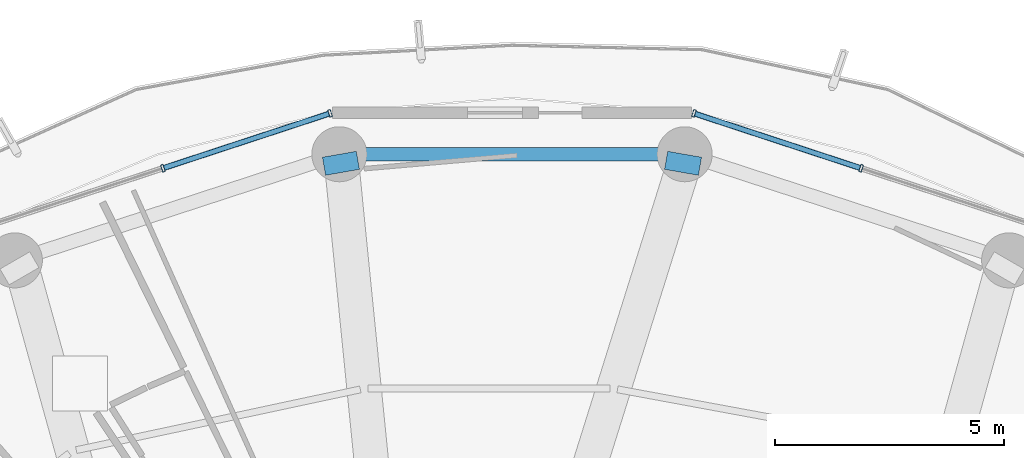
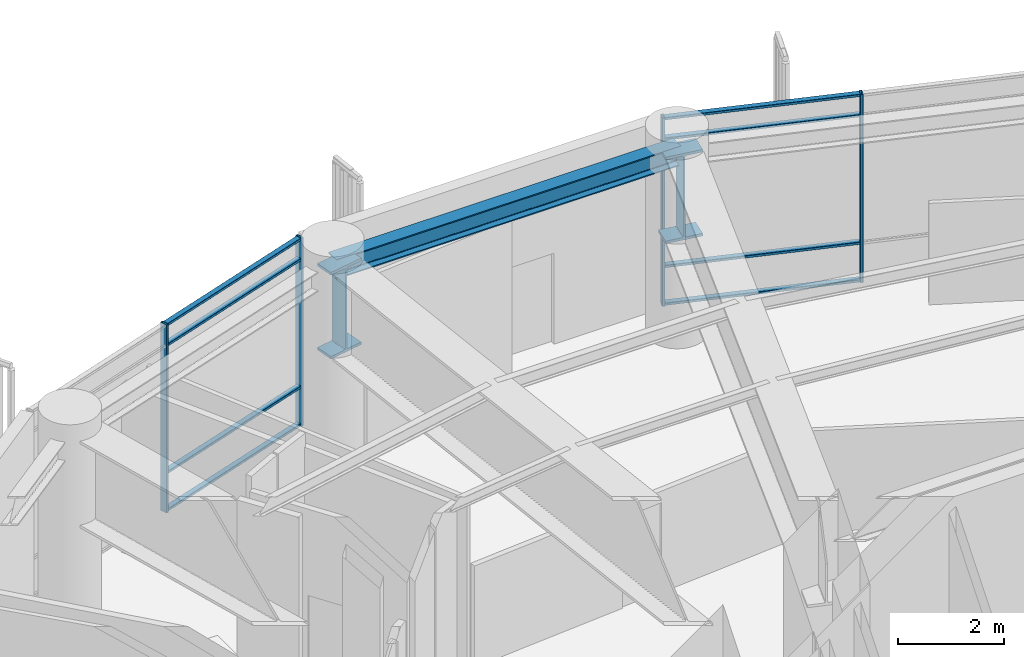
# One storey, part 18 of 28: 12 members, 3 beams, 2 elements without a shape of their own.
"""IFC4 building model written with IfcOpenShell, lengths in metres."""

from ifc_helpers import new_model, si_unit, direction, frame, origin, origin_2d, place, context, subcontext, project, spatial, hollow_rectangle, i_section, extrude, material, layer, layer_set, material_profile, profile_set, type_object, element, aggregate, save


model = new_model("IFC4")

# Units and contexts
model_context = context("Model", 3, precision=1e-05, world=origin(), true_north=direction((0.0, 1.0)))
body_context = subcontext(model_context, "Body", "Model", "MODEL_VIEW")
ifc_project = project(units=[si_unit("LENGTHUNIT", "METRE"), si_unit("AREAUNIT", "SQUARE_METRE"), si_unit("VOLUMEUNIT", "CUBIC_METRE"), si_unit("PLANEANGLEUNIT", "RADIAN"), si_unit("MASSUNIT", "GRAM", prefix="KILO")], contexts=[model_context])

# Site, building, storey
site_placement = place(None, origin())
site = spatial("IfcSite", under=ifc_project, at=site_placement, CompositionType="ELEMENT")
building_placement = place(site_placement, origin())
building = spatial("IfcBuilding", under=site, at=building_placement, Name="Kelanora Arch Commons", CompositionType="ELEMENT")
storey_placement = place(building_placement, frame((0.0, 0.0, 184.35009765625)))
storey = spatial("IfcBuildingStorey", under=building, at=storey_placement, Name="L47", CompositionType="ELEMENT", Elevation=184.35009765625)

# Beams
ifc_material_1 = material(Name="Steel S355", Category="steel")
ifc_material_profile_1 = material_profile(ifc_material_1, i_section(OverallWidth=0.300048828125, OverallDepth=0.449951171875, WebThickness=0.013916015625, FlangeThickness=0.02587890625, FilletRadius=0.027099609375, at=origin_2d()), Name="HEB450")
ifc_profile_set_1 = profile_set([ifc_material_profile_1], Name="Steel S355")
beam_type_1 = type_object("IfcBeamType", Name="BM-SPN-Z3", PredefinedType="SPANDREL", material=ifc_profile_set_1)
beam_placement = place(storey_placement, frame((77.7646484375, 77.18408203125, 4.135009765625), z_axis=(-1.0, 0.0, 0.0), x_axis=(0.0, -1.0, 0.0)))
element("IfcBeam", 1, at=beam_placement, inside=storey, type_object=beam_type_1, Name="Perimeter Spandrel Beam BS-08 L47", PredefinedType="SPANDREL", context=body_context, shape_type="SweptSolid", body=[
    extrude(i_section(OverallWidth=0.300048828125, OverallDepth=0.449951171875, WebThickness=0.013916015625, FlangeThickness=0.02587890625, FilletRadius=0.027099609375, at=origin_2d()), origin(), (0.0, 0.0, 1.0), 7.529296875),
])
ifc_material_profile_2 = material_profile(ifc_material_1, i_section(OverallWidth=0.75, OverallDepth=2.0, WebThickness=0.034912109375, FlangeThickness=0.06005859375, FilletRadius=0.028076171875, at=origin_2d()), Name="PG2000x750")
ifc_profile_set_2 = profile_set([ifc_material_profile_2], Name="Steel S355")
beam_type_2 = type_object("IfcBeamType", Name="BM-XFER-SET", PredefinedType="USERDEFINED", material=ifc_profile_set_2)
for number, where, z_axis, x_axis, name in (
    (2, (77.6953125, 76.7900390625, 3.35986328125), (0.173297968404, 0.984869440153, 0.0), (-0.984869440153, 0.173297968404, 0.0), "Radial Floor Girder BR-08 L47"),
    (3, (70.3046875, 76.7900390625, 3.35986328125), (-0.173297968404, 0.984869440153, 0.0), (-0.984869440153, -0.173297968404, 0.0), "Radial Floor Girder BR-10 L47"),
):
    element("IfcBeam", number, at=place(storey_placement, frame(where, z_axis=z_axis, x_axis=x_axis)), inside=storey, type_object=beam_type_2, Name=name, ObjectType="TRANSFER_GIRDER", PredefinedType="USERDEFINED", context=body_context, shape_type="SweptSolid", body=[
        extrude(i_section(OverallWidth=0.75, OverallDepth=2.0, WebThickness=0.034912109375, FlangeThickness=0.06005859375, FilletRadius=0.028076171875, at=origin_2d()), origin(), (0.0, 0.0, 1.0), 0.400146484375),
    ])

# Curtain wall, members
ifc_material_2 = material(Name="Terracotta ceramic-fritted low-E glass and aluminium", Category="masonry")
ifc_layer = layer(ifc_material_2, 0.175048828125)
ifc_layer_set = layer_set([ifc_layer], Name="Terracotta ceramic-fritted low-E glass and aluminium")
curtain_wall_type = type_object("IfcCurtainWallType", Name="CW-SYS-02", PredefinedType="NOTDEFINED", material=ifc_layer_set)
curtain_wall_1_placement = place(storey_placement, origin())
curtain_wall_1 = element("IfcCurtainWall", 4, at=curtain_wall_1_placement, inside=storey, type_object=curtain_wall_type, Name="Unitised Curtain Wall L47-B03", PredefinedType="NOTDEFINED")
ifc_material_3 = material(Name="Powder-coated aluminium terracotta", Category="masonry")
ifc_material_profile_3 = material_profile(ifc_material_3, hollow_rectangle(XDim=0.159912109375, YDim=0.06005859375, WallThickness=0.0048828125, InnerFilletRadius=0.0048828125, OuterFilletRadius=0.010009765625, at=origin_2d()), Name="CWM160x60")
ifc_profile_set_3 = profile_set([ifc_material_profile_3], Name="Powder-coated aluminium terracotta")
member_type_1 = type_object("IfcMemberType", Name="CWM-STD", PredefinedType="MULLION", material=ifc_profile_set_3)
member_1_placement = place(storey_placement, frame((81.6123046875, 76.87841796875, 0.0), z_axis=(0.0, 0.0, 1.0), x_axis=(-0.312128279571, -0.95003996605, 0.0)))
member_1 = element("IfcMember", 5, at=member_1_placement, type_object=member_type_1, Name="CW-02 mullion 2", PredefinedType="MULLION", context=body_context, shape_type="SweptSolid", body=[
    extrude(hollow_rectangle(XDim=0.159912109375, YDim=0.06005859375, WallThickness=0.0048828125, InnerFilletRadius=0.0048828125, OuterFilletRadius=0.010009765625, at=origin_2d()), origin(), (0.0, 0.0, 1.0), 4.344970703125),
])
member_2_placement = place(storey_placement, frame((77.96728515625, 78.075927734375, 0.0), z_axis=(0.0, 0.0, 1.0), x_axis=(-0.312128279571, -0.95003996605, 0.0)))
member_2 = element("IfcMember", 6, at=member_2_placement, type_object=member_type_1, Name="CW-02 mullion 3", PredefinedType="MULLION", context=body_context, shape_type="SweptSolid", body=[
    extrude(hollow_rectangle(XDim=0.159912109375, YDim=0.06005859375, WallThickness=0.0048828125, InnerFilletRadius=0.0048828125, OuterFilletRadius=0.010009765625, at=origin_2d()), origin(), (0.0, 0.0, 1.0), 4.344970703125),
])

curtain_wall_2_placement = place(storey_placement, origin())
curtain_wall_2 = element("IfcCurtainWall", 7, at=curtain_wall_2_placement, inside=storey, type_object=curtain_wall_type, Name="Unitised Curtain Wall L47-B05", PredefinedType="NOTDEFINED")
member_3_placement = place(storey_placement, frame((70.03271484375, 78.075927734375, 0.0), z_axis=(0.0, 0.0, 1.0), x_axis=(0.312128279571, -0.95003996605, 0.0)))
member_3 = element("IfcMember", 8, at=member_3_placement, type_object=member_type_1, Name="CW-02 mullion 1", PredefinedType="MULLION", context=body_context, shape_type="SweptSolid", body=[
    extrude(hollow_rectangle(XDim=0.159912109375, YDim=0.06005859375, WallThickness=0.0048828125, InnerFilletRadius=0.0048828125, OuterFilletRadius=0.010009765625, at=origin_2d()), origin(), (0.0, 0.0, 1.0), 4.344970703125),
])
member_4_placement = place(storey_placement, frame((66.3876953125, 76.87841796875, 0.0), z_axis=(0.0, 0.0, 1.0), x_axis=(0.312128279571, -0.95003996605, 0.0)))
member_4 = element("IfcMember", 9, at=member_4_placement, type_object=member_type_1, Name="CW-02 mullion 2", PredefinedType="MULLION", context=body_context, shape_type="SweptSolid", body=[
    extrude(hollow_rectangle(XDim=0.159912109375, YDim=0.06005859375, WallThickness=0.0048828125, InnerFilletRadius=0.0048828125, OuterFilletRadius=0.010009765625, at=origin_2d()), origin(), (0.0, 0.0, 1.0), 4.344970703125),
])

# Member
ifc_material_profile_4 = material_profile(ifc_material_3, hollow_rectangle(XDim=0.1201171875, YDim=0.06005859375, WallThickness=0.0048828125, InnerFilletRadius=0.0048828125, OuterFilletRadius=0.010009765625, at=origin_2d()), Name="CWT120x60")
ifc_profile_set_4 = profile_set([ifc_material_profile_4], Name="Powder-coated aluminium terracotta")
member_type_2 = type_object("IfcMemberType", Name="CWT-STD", PredefinedType="USERDEFINED", material=ifc_profile_set_4)
member_5_placement = place(storey_placement, frame((81.583740234375, 76.887939453125, 0.02978515625), z_axis=(-0.950051191155, 0.312094111104, 0.0), x_axis=(-0.312094111104, -0.950051191155, 0.0)))
member_5 = element("IfcMember", 10, at=member_5_placement, type_object=member_type_2, Name="CW-02 transom 2.1", ObjectType="TRANSOM", PredefinedType="USERDEFINED", context=body_context, shape_type="SweptSolid", body=[
    extrude(hollow_rectangle(XDim=0.1201171875, YDim=0.06005859375, WallThickness=0.0048828125, InnerFilletRadius=0.0048828125, OuterFilletRadius=0.010009765625, at=origin_2d()), origin(), (0.0, 0.0, 1.0), 3.77685546875),
])

member_6_placement = place(storey_placement, frame((81.583740234375, 76.887939453125, 0.89990234375), z_axis=(-0.950051191155, 0.312094111104, 0.0), x_axis=(-0.312094111104, -0.950051191155, 0.0)))
member_6 = element("IfcMember", 11, at=member_6_placement, type_object=member_type_2, Name="CW-02 transom 2.2", ObjectType="TRANSOM", PredefinedType="USERDEFINED", context=body_context, shape_type="SweptSolid", body=[
    extrude(hollow_rectangle(XDim=0.1201171875, YDim=0.06005859375, WallThickness=0.0048828125, InnerFilletRadius=0.0048828125, OuterFilletRadius=0.010009765625, at=origin_2d()), origin(), (0.0, 0.0, 1.0), 3.77685546875),
])

member_7_placement = place(storey_placement, frame((81.583740234375, 76.887939453125, 3.844970703125), z_axis=(-0.950051191155, 0.312094111104, 0.0), x_axis=(-0.312094111104, -0.950051191155, 0.0)))
member_7 = element("IfcMember", 12, at=member_7_placement, type_object=member_type_2, Name="CW-02 transom 2.3", ObjectType="TRANSOM", PredefinedType="USERDEFINED", context=body_context, shape_type="SweptSolid", body=[
    extrude(hollow_rectangle(XDim=0.1201171875, YDim=0.06005859375, WallThickness=0.0048828125, InnerFilletRadius=0.0048828125, OuterFilletRadius=0.010009765625, at=origin_2d()), origin(), (0.0, 0.0, 1.0), 3.77685546875),
])

member_8_placement = place(storey_placement, frame((81.583740234375, 76.887939453125, 4.31494140625), z_axis=(-0.950051191155, 0.312094111104, 0.0), x_axis=(-0.312094111104, -0.950051191155, 0.0)))
member_8 = element("IfcMember", 13, at=member_8_placement, type_object=member_type_2, Name="CW-02 transom 2.4", ObjectType="TRANSOM", PredefinedType="USERDEFINED", context=body_context, shape_type="SweptSolid", body=[
    extrude(hollow_rectangle(XDim=0.1201171875, YDim=0.06005859375, WallThickness=0.0048828125, InnerFilletRadius=0.0048828125, OuterFilletRadius=0.010009765625, at=origin_2d()), origin(), (0.0, 0.0, 1.0), 3.77685546875),
])

aggregate(curtain_wall_1, [member_1, member_2, member_5, member_6, member_7, member_8])

member_9_placement = place(storey_placement, frame((70.00439453125, 78.066650390625, 0.02978515625), z_axis=(-0.950051191155, -0.312094111104, 0.0), x_axis=(0.312094111104, -0.950051191155, 0.0)))
member_9 = element("IfcMember", 14, at=member_9_placement, type_object=member_type_2, Name="CW-02 transom 1.1", ObjectType="TRANSOM", PredefinedType="USERDEFINED", context=body_context, shape_type="SweptSolid", body=[
    extrude(hollow_rectangle(XDim=0.1201171875, YDim=0.06005859375, WallThickness=0.0048828125, InnerFilletRadius=0.0048828125, OuterFilletRadius=0.010009765625, at=origin_2d()), origin(), (0.0, 0.0, 1.0), 3.77685546875),
])

member_10_placement = place(storey_placement, frame((70.00439453125, 78.066650390625, 0.89990234375), z_axis=(-0.950051191155, -0.312094111104, 0.0), x_axis=(0.312094111104, -0.950051191155, 0.0)))
member_10 = element("IfcMember", 15, at=member_10_placement, type_object=member_type_2, Name="CW-02 transom 1.2", ObjectType="TRANSOM", PredefinedType="USERDEFINED", context=body_context, shape_type="SweptSolid", body=[
    extrude(hollow_rectangle(XDim=0.1201171875, YDim=0.06005859375, WallThickness=0.0048828125, InnerFilletRadius=0.0048828125, OuterFilletRadius=0.010009765625, at=origin_2d()), origin(), (0.0, 0.0, 1.0), 3.77685546875),
])

member_11_placement = place(storey_placement, frame((70.00439453125, 78.066650390625, 3.844970703125), z_axis=(-0.950051191155, -0.312094111104, 0.0), x_axis=(0.312094111104, -0.950051191155, 0.0)))
member_11 = element("IfcMember", 16, at=member_11_placement, type_object=member_type_2, Name="CW-02 transom 1.3", ObjectType="TRANSOM", PredefinedType="USERDEFINED", context=body_context, shape_type="SweptSolid", body=[
    extrude(hollow_rectangle(XDim=0.1201171875, YDim=0.06005859375, WallThickness=0.0048828125, InnerFilletRadius=0.0048828125, OuterFilletRadius=0.010009765625, at=origin_2d()), origin(), (0.0, 0.0, 1.0), 3.77685546875),
])

member_12_placement = place(storey_placement, frame((70.00439453125, 78.066650390625, 4.31494140625), z_axis=(-0.950051191155, -0.312094111104, 0.0), x_axis=(0.312094111104, -0.950051191155, 0.0)))
member_12 = element("IfcMember", 17, at=member_12_placement, type_object=member_type_2, Name="CW-02 transom 1.4", ObjectType="TRANSOM", PredefinedType="USERDEFINED", context=body_context, shape_type="SweptSolid", body=[
    extrude(hollow_rectangle(XDim=0.1201171875, YDim=0.06005859375, WallThickness=0.0048828125, InnerFilletRadius=0.0048828125, OuterFilletRadius=0.010009765625, at=origin_2d()), origin(), (0.0, 0.0, 1.0), 3.77685546875),
])

aggregate(curtain_wall_2, [member_3, member_4, member_9, member_10, member_11, member_12])

save(model, "model.ifc")
